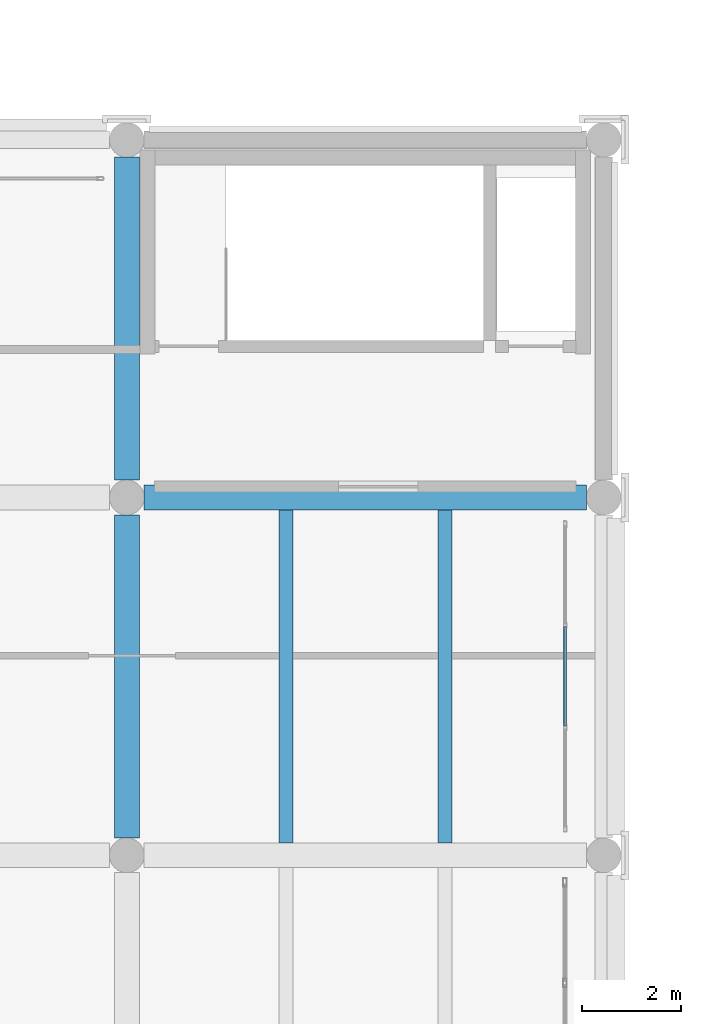
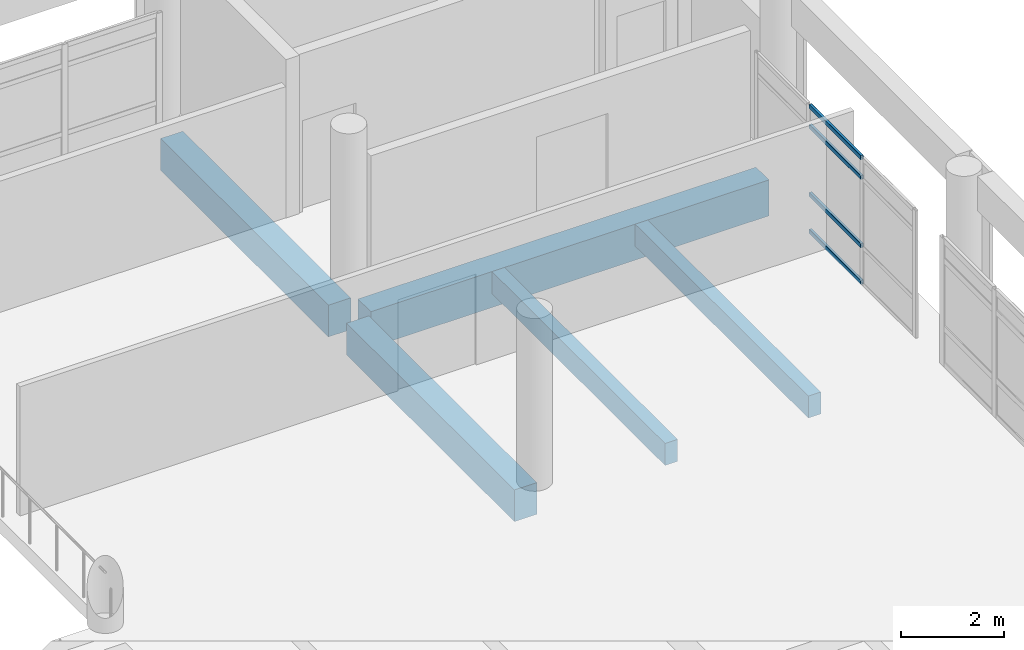
# One storey, part 30 of 180: 5 beams, 4 members, 1 element without a shape of its own.
"""IFC4 building model written with IfcOpenShell, lengths in metres."""

from ifc_helpers import new_model, si_unit, direction, frame, origin, origin_2d, place, context, subcontext, project, spatial, rectangle, hollow_rectangle, extrude, material, layer, layer_set, material_profile, profile_set, type_object, element, aggregate, save


model = new_model("IFC4")

# Units and contexts
model_context = context("Model", 3, precision=1e-05, world=origin(), true_north=direction((0.0, 1.0)))
body_context = subcontext(model_context, "Body", "Model", "MODEL_VIEW")
ifc_project = project(units=[si_unit("LENGTHUNIT", "METRE"), si_unit("AREAUNIT", "SQUARE_METRE"), si_unit("VOLUMEUNIT", "CUBIC_METRE"), si_unit("PLANEANGLEUNIT", "RADIAN"), si_unit("MASSUNIT", "GRAM", prefix="KILO")], contexts=[model_context])

# Site, building, storey
site_placement = place(None, origin())
site = spatial("IfcSite", under=ifc_project, at=site_placement, CompositionType="ELEMENT")
building_placement = place(site_placement, origin())
building = spatial("IfcBuilding", under=site, at=building_placement, Name="Asteropetra Specialist Clinic", CompositionType="ELEMENT")
storey_placement = place(building_placement, frame((0.0, 0.0, 4.419921875)))
storey = spatial("IfcBuildingStorey", under=building, at=storey_placement, Name="L01", CompositionType="ELEMENT", Elevation=4.419921875)

# Beams
ifc_material_1 = material(Name="Concrete C35/45", Category="concrete")
ifc_material_profile_1 = material_profile(ifc_material_1, rectangle(XDim=0.5, YDim=0.75, at=origin_2d()), Name="RCB 500x750")
ifc_profile_set_1 = profile_set([ifc_material_profile_1], Name="Concrete C35/45")
beam_type_1 = type_object("IfcBeamType", Name="BM-RC500x750", PredefinedType="BEAM", material=ifc_profile_set_1)
for number, where, z_axis, x_axis, name in (
    (1, (48.0, 12.35009765625, -0.71484375), (0.0, 1.0, 0.0), (-1.0, 0.0, 0.0), "Beam BBM04-0288"),
    (2, (48.0, 19.550048828125, -0.71484375), (0.0, 1.0, 0.0), (-1.0, 0.0, 0.0), "Beam BBM04-0303"),
):
    element("IfcBeam", number, at=place(storey_placement, frame(where, z_axis=z_axis, x_axis=x_axis)), inside=storey, type_object=beam_type_1, Name=name, PredefinedType="BEAM", context=body_context, shape_type="SweptSolid", body=[
        extrude(rectangle(XDim=0.5, YDim=0.75, at=origin_2d()), origin(), (0.0, 0.0, 1.0), 6.5),
    ])
ifc_material_2 = material(Name="Concrete C35/45", Category="concrete")
ifc_material_profile_2 = material_profile(ifc_material_2, rectangle(XDim=0.5, YDim=0.85009765625, at=origin_2d()), Name="RCB 500x850")
ifc_profile_set_2 = profile_set([ifc_material_profile_2], Name="Concrete C35/45")
beam_type_2 = type_object("IfcBeamType", Name="BM-RC500x850", PredefinedType="BEAM", material=ifc_profile_set_2)
beam_placement = place(storey_placement, frame((48.35009765625, 19.199951171875, -0.764892578125), z_axis=(1.0, 0.0, 0.0), x_axis=(0.0, 1.0, 0.0)))
element("IfcBeam", 3, at=beam_placement, inside=storey, type_object=beam_type_2, Name="Beam BBM03-0245", PredefinedType="BEAM", context=body_context, shape_type="SweptSolid", body=[
    extrude(rectangle(XDim=0.5, YDim=0.85009765625, at=origin_2d()), origin(), (0.0, 0.0, 1.0), 8.89990234375),
])

# Curtain wall, members
ifc_material_3 = material(Name="Aluminium and low-E glass", Category="aluminium")
ifc_layer = layer(ifc_material_3, 0.179931640625)
ifc_layer_set = layer_set([ifc_layer], Name="Aluminium and low-E glass")
curtain_wall_type = type_object("IfcCurtainWallType", Name="CW-SYS-10", PredefinedType="USERDEFINED", material=ifc_layer_set)
curtain_wall_placement = place(storey_placement, origin())
curtain_wall = element("IfcCurtainWall", 4, at=curtain_wall_placement, inside=storey, type_object=curtain_wall_type, Name="Curtain Wall CW-146", ObjectType="STICK GLAZED COLONNADE", PredefinedType="USERDEFINED")
ifc_material_4 = material(Name="Aluminium 6063-T6", Category="aluminium")
ifc_material_profile_3 = material_profile(ifc_material_4, hollow_rectangle(XDim=0.06005859375, YDim=0.10009765625, WallThickness=0.00341796875, InnerFilletRadius=0.00341796875, OuterFilletRadius=0.007080078125, at=origin_2d()), Name="TRN 100x60x3.5")
ifc_profile_set_3 = profile_set([ifc_material_profile_3], Name="Aluminium 6063-T6")
member_type = type_object("IfcMemberType", Name="CWT-100x60", PredefinedType="USERDEFINED", material=ifc_profile_set_3)
member_1_placement = place(storey_placement, frame((56.820068359375, 14.60009765625, 0.030029296875), z_axis=(0.0, 1.0, 0.0), x_axis=(-1.0, 0.0, 0.0)))
member_1 = element("IfcMember", 5, at=member_1_placement, type_object=member_type, Name="CW-146 transom 2.1", ObjectType="TRANSOM", PredefinedType="USERDEFINED", context=body_context, shape_type="SweptSolid", body=[
    extrude(hollow_rectangle(XDim=0.06005859375, YDim=0.10009765625, WallThickness=0.00341796875, InnerFilletRadius=0.00341796875, OuterFilletRadius=0.007080078125, at=origin_2d()), origin(), (0.0, 0.0, 1.0), 2.0),
])
member_2_placement = place(storey_placement, frame((56.820068359375, 14.60009765625, 0.900146484375), z_axis=(0.0, 1.0, 0.0), x_axis=(-1.0, 0.0, 0.0)))
member_2 = element("IfcMember", 6, at=member_2_placement, type_object=member_type, Name="CW-146 transom 2.2", ObjectType="TRANSOM", PredefinedType="USERDEFINED", context=body_context, shape_type="SweptSolid", body=[
    extrude(hollow_rectangle(XDim=0.06005859375, YDim=0.10009765625, WallThickness=0.00341796875, InnerFilletRadius=0.00341796875, OuterFilletRadius=0.007080078125, at=origin_2d()), origin(), (0.0, 0.0, 1.0), 2.0),
])
member_3_placement = place(storey_placement, frame((56.820068359375, 14.60009765625, 2.510009765625), z_axis=(0.0, 1.0, 0.0), x_axis=(-1.0, 0.0, 0.0)))
member_3 = element("IfcMember", 7, at=member_3_placement, type_object=member_type, Name="CW-146 transom 2.3", ObjectType="TRANSOM", PredefinedType="USERDEFINED", context=body_context, shape_type="SweptSolid", body=[
    extrude(hollow_rectangle(XDim=0.06005859375, YDim=0.10009765625, WallThickness=0.00341796875, InnerFilletRadius=0.00341796875, OuterFilletRadius=0.007080078125, at=origin_2d()), origin(), (0.0, 0.0, 1.0), 2.0),
])
member_4_placement = place(storey_placement, frame((56.820068359375, 14.60009765625, 2.97998046875), z_axis=(0.0, 1.0, 0.0), x_axis=(-1.0, 0.0, 0.0)))
member_4 = element("IfcMember", 8, at=member_4_placement, type_object=member_type, Name="CW-146 transom 2.4", ObjectType="TRANSOM", PredefinedType="USERDEFINED", context=body_context, shape_type="SweptSolid", body=[
    extrude(hollow_rectangle(XDim=0.06005859375, YDim=0.10009765625, WallThickness=0.00341796875, InnerFilletRadius=0.00341796875, OuterFilletRadius=0.007080078125, at=origin_2d()), origin(), (0.0, 0.0, 1.0), 2.0),
])
aggregate(curtain_wall, [member_1, member_2, member_3, member_4])

# Beams
ifc_material_5 = material(Name="Concrete C35/45", Category="concrete")
ifc_material_profile_4 = material_profile(ifc_material_5, rectangle(XDim=0.280029296875, YDim=0.52001953125, at=origin_2d()), Name="RCJ 280x520")
ifc_profile_set_4 = profile_set([ifc_material_profile_4], Name="Concrete C35/45")
beam_type_3 = type_object("IfcBeamType", Name="JST-RC280x520", PredefinedType="JOIST", material=ifc_profile_set_4)
for number, where, z_axis, x_axis, name in (
    (9, (51.199951171875, 12.25, -0.599853515625), (0.0, 1.0, 0.0), (-1.0, 0.0, 0.0), "Joist JJST01-0296"),
    (10, (54.39990234375, 12.25, -0.599853515625), (0.0, 1.0, 0.0), (-1.0, 0.0, 0.0), "Joist JJST01-0297"),
):
    element("IfcBeam", number, at=place(storey_placement, frame(where, z_axis=z_axis, x_axis=x_axis)), inside=storey, type_object=beam_type_3, Name=name, PredefinedType="JOIST", context=body_context, shape_type="SweptSolid", body=[
        extrude(rectangle(XDim=0.280029296875, YDim=0.52001953125, at=origin_2d()), origin(), (0.0, 0.0, 1.0), 6.699951171875),
    ])

save(model, "model.ifc")
